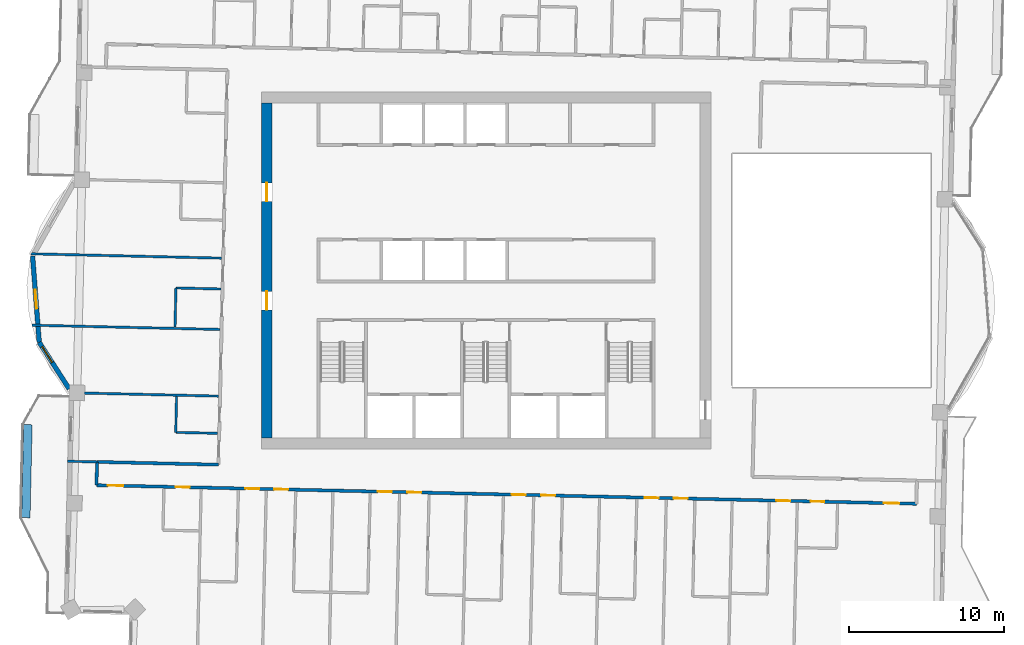
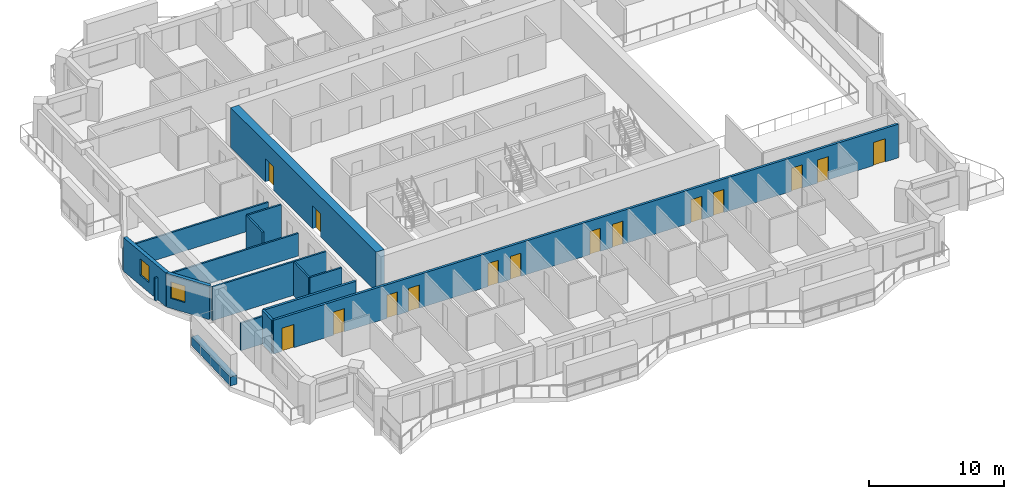
# One storey, part 7 of 17: 15 doors, 15 walls, 2 windows, 17 openings.
"""IFC4 building model written with IfcOpenShell, lengths in metres."""

import ifcopenshell
import ifcopenshell.guid

model = None  # the IFC model being written
_history = None  # IfcOwnerHistory: only IFC2X3 demands one
_inside = {}  # id of a spatial element -> (the spatial element, [elements in it])
_under = {}  # id of a project, library or spatial element -> (it, [spatial elements below it])
_declared = {}  # id of a project -> (the project, [libraries it declares])
_typed = {}  # id of a type object -> (the type object, [elements of that type])
_made_of = {}  # id of a material, layer set ... -> (it, [elements and type objects made of it])


def new_model(schema):
    """Start an empty IFC model of exactly this schema.

    Asked for "IFC4X3", IfcOpenShell would pick the latest addendum, in which some entities
    have other attributes; the version numbers below select the first issue.
    IFC2X3 requires an IfcOwnerHistory on every rooted entity: one is made here for all.
    """
    global model, _history
    if schema == "IFC4X3":
        model = ifcopenshell.file(schema_version=(4, 3, 0, 0))
    else:
        model = ifcopenshell.file(schema=schema)
    _inside.clear()
    _under.clear()
    _declared.clear()
    _typed.clear()
    _made_of.clear()
    _history = None
    if model.schema == "IFC2X3":
        org = make("IfcOrganization", Name="unknown")
        user = make(
            "IfcPersonAndOrganization",
            ThePerson=make("IfcPerson", FamilyName="unknown"),
            TheOrganization=org,
        )
        app = make(
            "IfcApplication",
            ApplicationDeveloper=org,
            Version="unknown",
            ApplicationFullName="unknown",
            ApplicationIdentifier="unknown",
        )
        _history = make(
            "IfcOwnerHistory",
            OwningUser=user,
            OwningApplication=app,
            ChangeAction="ADDED",
            CreationDate=0,
        )
    return model


def make(cls, **values):
    """One entity of the class cls with the attributes given. An attribute that is None is left unset."""
    return model.create_entity(
        cls, **{name: value for name, value in values.items() if value is not None}
    )


def rooted(cls, **values):
    """An entity with a GlobalId (a new one), such as an element, a storey or a relation."""
    return make(cls, GlobalId=ifcopenshell.guid.new(), OwnerHistory=_history, **values)


def si_unit(unit_type, name, prefix=None):
    """IfcSIUnit, for example si_unit("LENGTHUNIT", "METRE", prefix="MILLI")."""
    return make("IfcSIUnit", UnitType=unit_type, Prefix=prefix, Name=name)


def assignment(units):
    """IfcUnitAssignment: the units of a project."""
    return None if units is None else make("IfcUnitAssignment", Units=units)


def point(xyz):
    """IfcCartesianPoint."""
    return None if xyz is None else make("IfcCartesianPoint", Coordinates=xyz)


def direction(xyz):
    """IfcDirection."""
    return None if xyz is None else make("IfcDirection", DirectionRatios=xyz)


def frame(location, z_axis=None, x_axis=None):
    """IfcAxis2Placement3D, a coordinate frame: its origin and axes. An axis left out is left unset."""
    return make(
        "IfcAxis2Placement3D",
        Location=point(location),
        Axis=direction(z_axis),
        RefDirection=direction(x_axis),
    )


def frame_2d(location, x_axis=None):
    """IfcAxis2Placement2D, a coordinate frame in the plane: its origin and x axis."""
    return make(
        "IfcAxis2Placement2D", Location=point(location), RefDirection=direction(x_axis)
    )


def origin():
    """The frame at (0, 0, 0) with its axes left unset."""
    return frame((0.0, 0.0, 0.0))


def place(relative_to, where):
    """IfcLocalPlacement: puts the frame where relative to a parent placement (None: the world)."""
    return make(
        "IfcLocalPlacement", PlacementRelTo=relative_to, RelativePlacement=where
    )


def context(
    kind, dimensions, precision=None, world=None, true_north=None, identifier=None
):
    """IfcGeometricRepresentationContext, for example the 3D "Model" context."""
    return make(
        "IfcGeometricRepresentationContext",
        ContextIdentifier=identifier,
        ContextType=kind,
        CoordinateSpaceDimension=dimensions,
        Precision=precision,
        WorldCoordinateSystem=world,
        TrueNorth=true_north,
    )


def subcontext(parent, identifier, kind, view, scale=None):
    """IfcGeometricRepresentationSubContext, for example "Body" below "Model"."""
    return make(
        "IfcGeometricRepresentationSubContext",
        ContextIdentifier=identifier,
        ContextType=kind,
        ParentContext=parent,
        TargetScale=scale,
        TargetView=view,
    )


def project(units=None, contexts=None):
    """IfcProject with its units and contexts."""
    return rooted(
        "IfcProject",
        Name="project",
        RepresentationContexts=contexts,
        UnitsInContext=assignment(units),
    )


def spatial(cls, under=None, at=None, **own):
    """A site, building, storey or space (cls), placed at a placement, below another one or the project."""
    s = rooted(cls, ObjectPlacement=at, **own)
    if under is not None:
        _under.setdefault(under.id(), (under, []))[1].append(s)
    return s


def profile(cls, at=None, kind="AREA", **sizes):
    """A parametric profile (cls). Its sizes go by their IFC names, for example OverallWidth=200.0."""
    return make(cls, ProfileType=kind, Position=at, **sizes)


def rectangle(**sizes):
    """IfcRectangleProfileDef."""
    return profile("IfcRectangleProfileDef", **sizes)


def extrude(swept, where, along, depth):
    """IfcExtrudedAreaSolid: the profile swept, set in the frame where, extruded along a direction by depth."""
    return make(
        "IfcExtrudedAreaSolid",
        SweptArea=swept,
        Position=where,
        ExtrudedDirection=direction(along),
        Depth=depth,
    )


def shape(context_of_items, identifier, shape_type, items):
    """IfcShapeRepresentation: the items that make up one representation, for example the "Body"."""
    return make(
        "IfcShapeRepresentation",
        ContextOfItems=context_of_items,
        RepresentationIdentifier=identifier,
        RepresentationType=shape_type,
        Items=items,
    )


def material(Name=None, Category=None):
    """IfcMaterial."""
    return make("IfcMaterial", Name=Name, Category=Category)


def layer(
    of_material, thickness, ventilated=None, Name=None, Category=None, Priority=None
):
    """IfcMaterialLayer: one layer of a wall or slab, of a material (None: an air gap)."""
    return make(
        "IfcMaterialLayer",
        Material=of_material,
        LayerThickness=thickness,
        IsVentilated=ventilated,
        Name=Name,
        Category=Category,
        Priority=Priority,
    )


def layer_set(layers, Name=None):
    """IfcMaterialLayerSet."""
    return make("IfcMaterialLayerSet", MaterialLayers=layers, LayerSetName=Name)


def made_of(thing, what):
    """Note that an element or type object is made of a material, layer set ...; save() writes the relation."""
    if what is not None:
        _made_of.setdefault(what.id(), (what, []))[1].append(thing)
    return thing


def type_object(cls, material=None, **own):
    """A type object (cls), such as IfcWallType, which elements share."""
    return made_of(rooted(cls, **own), material)


def element(
    cls,
    number,
    at=None,
    inside=None,
    cuts=None,
    type_object=None,
    material=None,
    context=None,
    identifier="Body",
    shape_type=None,
    held_by="IfcProductDefinitionShape",
    body=None,
    shapes=None,
    **own,
):
    """One element of the class cls, such as IfcWall. Its Tag is "e" and its number.

    at: its placement. inside: the storey or other place that contains it. cuts: it is an
    opening in that element (IfcRelVoidsElement). A single representation is given by context,
    identifier, shape_type and body (its items); several are given by shapes. held_by: the class
    of the entity that holds the representations. save() writes the other relations.
    """
    e = rooted(cls, Tag="e%d" % number, ObjectPlacement=at, **own)
    if body is not None:
        shapes = [shape(context, identifier, shape_type, body)]
    if shapes is not None:
        e.Representation = make(held_by, Representations=shapes)
    if inside is not None:
        _inside.setdefault(inside.id(), (inside, []))[1].append(e)
    if cuts is not None:
        rooted(
            "IfcRelVoidsElement", RelatingBuildingElement=cuts, RelatedOpeningElement=e
        )
    if type_object is not None:
        _typed.setdefault(type_object.id(), (type_object, []))[1].append(e)
    return made_of(e, material)


def fill(opening, filler):
    """IfcRelFillsElement: the door or window that sits in an opening."""
    return rooted(
        "IfcRelFillsElement",
        RelatingOpeningElement=opening,
        RelatedBuildingElement=filler,
    )


def aggregate(whole, parts):
    """IfcRelAggregates: a whole, such as a stair, and the parts it consists of."""
    return rooted("IfcRelAggregates", RelatingObject=whole, RelatedObjects=parts)


def save(model, path):
    """Write the relations noted so far, then the file.

    IfcRelAggregates (storeys below a building ...), IfcRelContainedInSpatialStructure (elements
    in a storey), IfcRelDefinesByType, IfcRelAssociatesMaterial and IfcRelDeclares: one each for
    every whole, place, type object, material and project.
    """
    for whole, parts in _under.values():
        aggregate(whole, parts)
    for where, things in _inside.values():
        rooted(
            "IfcRelContainedInSpatialStructure",
            RelatedElements=things,
            RelatingStructure=where,
        )
    for kind, things in _typed.values():
        rooted("IfcRelDefinesByType", RelatedObjects=things, RelatingType=kind)
    for what, things in _made_of.values():
        rooted("IfcRelAssociatesMaterial", RelatedObjects=things, RelatingMaterial=what)
    for by, libraries in _declared.values():
        rooted("IfcRelDeclares", RelatingContext=by, RelatedDefinitions=libraries)
    model.write(path)


model = new_model("IFC4")

# Units and contexts
model_context = context("Model", 3, precision=1e-05, world=origin(), true_north=direction((0.0, 1.0)))
body_context = subcontext(model_context, "Body", "Model", "MODEL_VIEW")
ifc_project = project(units=[si_unit("LENGTHUNIT", "METRE"), si_unit("AREAUNIT", "SQUARE_METRE"), si_unit("VOLUMEUNIT", "CUBIC_METRE"), si_unit("PLANEANGLEUNIT", "RADIAN"), si_unit("MASSUNIT", "GRAM", prefix="KILO")], contexts=[model_context])

# Site, building, storey
site_placement = place(None, origin())
site = spatial("IfcSite", under=ifc_project, at=site_placement, CompositionType="ELEMENT")
building_placement = place(site_placement, origin())
building = spatial("IfcBuilding", under=site, at=building_placement, Name="Mangrove Gate Tower", CompositionType="ELEMENT")
storey_placement = place(building_placement, frame((0.0, 0.0, 264.5)))
storey = spatial("IfcBuildingStorey", under=building, at=storey_placement, Name="L67", CompositionType="ELEMENT", Elevation=264.5)

# Wall, openings, doors
ifc_material_1 = material(Name="Concrete C60/75", Category="concrete")
ifc_layer_1 = layer(ifc_material_1, 0.699951171875)
ifc_layer_set_1 = layer_set([ifc_layer_1], Name="Core wall 700 C60/75")
wall_type_1 = type_object("IfcWallType", Name="Core wall 700 C60/75", PredefinedType="SHEAR", material=ifc_layer_set_1)
wall_1_placement = place(storey_placement, frame((-14.14990234375, -10.800048828125, 0.0), z_axis=(0.0, 0.0, 1.0), x_axis=(0.0, 1.0, 0.0)))
wall_1 = element("IfcWall", 1, at=wall_1_placement, inside=storey, type_object=wall_type_1, Name="WALL-L67-CORE-3", PredefinedType="SHEAR", context=body_context, shape_type="SweptSolid", body=[
    extrude(rectangle(XDim=21.60009765625, YDim=0.699951171875, at=frame_2d((10.800048828125, 0.0))), origin(), (0.0, 0.0, 1.0), 3.60009765625),
])
opening_1_placement = place(wall_1_placement, frame((8.25, 0.0, 0.0)))
opening_1 = element("IfcOpeningElement", 2, at=opening_1_placement, cuts=wall_1, Name="Opening CD", PredefinedType="OPENING", context=body_context, shape_type="SweptSolid", body=[
    extrude(rectangle(XDim=1.199951171875, YDim=2.10009765625, at=frame_2d((0.60009765625, 1.050048828125))), frame((0.0, 0.35986328125, 0.0), z_axis=(0.0, -1.0, 0.0), x_axis=(1.0, 0.0, 0.0)), (0.0, 0.0, 1.0), 0.719970703125),
])
opening_2_placement = place(wall_1_placement, frame((15.25, 0.0, 0.0)))
opening_2 = element("IfcOpeningElement", 3, at=opening_2_placement, cuts=wall_1, Name="Opening CD", PredefinedType="OPENING", context=body_context, shape_type="SweptSolid", body=[
    extrude(rectangle(XDim=1.199951171875, YDim=2.10009765625, at=frame_2d((0.60009765625, 1.050048828125))), frame((0.0, 0.35986328125, 0.0), z_axis=(0.0, -1.0, 0.0), x_axis=(1.0, 0.0, 0.0)), (0.0, 0.0, 1.0), 0.719970703125),
])
ifc_material_2 = material(Name="Fire-rated steel door set", Category="steel")
door_type_1 = type_object("IfcDoorType", Name="Core ring door FD60 1200x2100", OperationType="DOUBLE_DOOR_SINGLE_SWING", PredefinedType="DOOR", material=ifc_material_2)
door_1_placement = place(opening_1_placement, origin())
door_1 = element("IfcDoor", 4, at=door_1_placement, inside=storey, type_object=door_type_1, Name="Core ring door W1", OperationType="DOUBLE_DOOR_SINGLE_SWING", OverallHeight=2.10009765625, OverallWidth=1.199951171875, PredefinedType="DOOR", context=body_context, shape_type="SweptSolid", body=[
    extrude(rectangle(XDim=1.199951171875, YDim=2.10009765625, at=frame_2d((0.60009765625, 1.050048828125))), frame((0.0, 0.02490234375, 0.0), z_axis=(0.0, -1.0, 0.0), x_axis=(1.0, 0.0, 0.0)), (0.0, 0.0, 1.0), 0.050048828125),
])
fill(opening_1, door_1)
door_2_placement = place(opening_2_placement, origin())
door_2 = element("IfcDoor", 5, at=door_2_placement, inside=storey, type_object=door_type_1, Name="Core ring door W2", OperationType="DOUBLE_DOOR_SINGLE_SWING", OverallHeight=2.10009765625, OverallWidth=1.199951171875, PredefinedType="DOOR", context=body_context, shape_type="SweptSolid", body=[
    extrude(rectangle(XDim=1.199951171875, YDim=2.10009765625, at=frame_2d((0.60009765625, 1.050048828125))), frame((0.0, 0.02490234375, 0.0), z_axis=(0.0, -1.0, 0.0), x_axis=(1.0, 0.0, 0.0)), (0.0, 0.0, 1.0), 0.050048828125),
])
fill(opening_2, door_2)

# Wall
ifc_material_3 = material(Name="Gypsum board on steel stud, EI 60", Category="steel")
ifc_layer_2 = layer(ifc_material_3, 0.199951171875)
ifc_layer_set_2 = layer_set([ifc_layer_2], Name="Corridor wall EI 60")
wall_type_2 = type_object("IfcWallType", Name="Corridor wall EI 60", PredefinedType="PARTITIONING", material=ifc_layer_set_2)
wall_2_placement = place(storey_placement, frame((-25.1240234375, -13.846923828125, 0.0), z_axis=(0.0, 0.0, 1.0), x_axis=(0.022617910375, 0.999744182344, 0.0)))
element("IfcWall", 6, at=wall_2_placement, inside=storey, type_object=wall_type_2, Name="WALL-L67-032", PredefinedType="PARTITIONING", context=body_context, shape_type="SweptSolid", body=[
    extrude(rectangle(XDim=1.50048828125, YDim=0.199951171875, at=frame_2d((0.750244140625, 0.0))), origin(), (0.0, 0.0, 1.0), 3.050048828125),
])

# Wall, openings, doors
wall_3_placement = place(storey_placement, frame((-25.1201171875, -13.846923828125, 0.0), z_axis=(0.0, 0.0, 1.0), x_axis=(0.999742852445, -0.022676617578, 0.0)))
wall_3 = element("IfcWall", 7, at=wall_3_placement, inside=storey, type_object=wall_type_2, Name="WALL-L67-033", PredefinedType="PARTITIONING", context=body_context, shape_type="SweptSolid", body=[
    extrude(rectangle(XDim=52.872802734375, YDim=0.199951171875, at=frame_2d((26.4365234375, 0.0))), origin(), (0.0, 0.0, 1.0), 3.050048828125),
])
opening_3_placement = place(wall_3_placement, frame((0.72509765625, 0.0, 0.0)))
opening_3 = element("IfcOpeningElement", 8, at=opening_3_placement, cuts=wall_3, Name="Opening AD", PredefinedType="OPENING", context=body_context, shape_type="SweptSolid", body=[
    extrude(rectangle(XDim=1.0, YDim=2.10009765625, at=frame_2d((0.5, 1.050048828125))), frame((0.0, 0.10986328125, 0.0), z_axis=(0.0, -1.0, 0.0), x_axis=(1.0, 0.0, 0.0)), (0.0, 0.0, 1.0), 0.219970703125),
])
opening_4_placement = place(wall_3_placement, frame((5.10009765625, 0.0, 0.0)))
opening_4 = element("IfcOpeningElement", 9, at=opening_4_placement, cuts=wall_3, Name="Opening SD", PredefinedType="OPENING", context=body_context, shape_type="SweptSolid", body=[
    extrude(rectangle(XDim=0.89990234375, YDim=2.10009765625, at=frame_2d((0.449951171875, 1.050048828125))), frame((0.0, 0.10986328125, 0.0), z_axis=(0.0, -1.0, 0.0), x_axis=(1.0, 0.0, 0.0)), (0.0, 0.0, 1.0), 0.219970703125),
])
opening_5_placement = place(wall_3_placement, frame((9.60009765625, 0.0, 0.0)))
opening_5 = element("IfcOpeningElement", 10, at=opening_5_placement, cuts=wall_3, Name="Opening BD", PredefinedType="OPENING", context=body_context, shape_type="SweptSolid", body=[
    extrude(rectangle(XDim=0.89990234375, YDim=2.10009765625, at=frame_2d((0.449951171875, 1.050048828125))), frame((0.0, 0.10986328125, 0.0), z_axis=(0.0, -1.0, 0.0), x_axis=(1.0, 0.0, 0.0)), (0.0, 0.0, 1.0), 0.219970703125),
])
opening_6_placement = place(wall_3_placement, frame((11.449951171875, 0.0, 0.0)))
opening_6 = element("IfcOpeningElement", 11, at=opening_6_placement, cuts=wall_3, Name="Opening BD", PredefinedType="OPENING", context=body_context, shape_type="SweptSolid", body=[
    extrude(rectangle(XDim=0.89990234375, YDim=2.10009765625, at=frame_2d((0.449951171875, 1.050048828125))), frame((0.0, 0.10986328125, 0.0), z_axis=(0.0, -1.0, 0.0), x_axis=(1.0, 0.0, 0.0)), (0.0, 0.0, 1.0), 0.219970703125),
])
opening_7_placement = place(wall_3_placement, frame((18.14990234375, 0.0, 0.0)))
opening_7 = element("IfcOpeningElement", 12, at=opening_7_placement, cuts=wall_3, Name="Opening BD", PredefinedType="OPENING", context=body_context, shape_type="SweptSolid", body=[
    extrude(rectangle(XDim=0.89990234375, YDim=2.10009765625, at=frame_2d((0.449951171875, 1.050048828125))), frame((0.0, 0.10986328125, 0.0), z_axis=(0.0, -1.0, 0.0), x_axis=(1.0, 0.0, 0.0)), (0.0, 0.0, 1.0), 0.219970703125),
])
opening_8_placement = place(wall_3_placement, frame((20.050048828125, 0.0, 0.0)))
opening_8 = element("IfcOpeningElement", 13, at=opening_8_placement, cuts=wall_3, Name="Opening BD", PredefinedType="OPENING", context=body_context, shape_type="SweptSolid", body=[
    extrude(rectangle(XDim=0.89990234375, YDim=2.10009765625, at=frame_2d((0.449951171875, 1.050048828125))), frame((0.0, 0.10986328125, 0.0), z_axis=(0.0, -1.0, 0.0), x_axis=(1.0, 0.0, 0.0)), (0.0, 0.0, 1.0), 0.219970703125),
])
opening_9_placement = place(wall_3_placement, frame((26.77490234375, 0.0, 0.0)))
opening_9 = element("IfcOpeningElement", 14, at=opening_9_placement, cuts=wall_3, Name="Opening BD", PredefinedType="OPENING", context=body_context, shape_type="SweptSolid", body=[
    extrude(rectangle(XDim=0.89990234375, YDim=2.10009765625, at=frame_2d((0.449951171875, 1.050048828125))), frame((0.0, 0.10986328125, 0.0), z_axis=(0.0, -1.0, 0.0), x_axis=(1.0, 0.0, 0.0)), (0.0, 0.0, 1.0), 0.219970703125),
])
opening_10_placement = place(wall_3_placement, frame((28.675048828125, 0.0, 0.0)))
opening_10 = element("IfcOpeningElement", 15, at=opening_10_placement, cuts=wall_3, Name="Opening BD", PredefinedType="OPENING", context=body_context, shape_type="SweptSolid", body=[
    extrude(rectangle(XDim=0.89990234375, YDim=2.10009765625, at=frame_2d((0.449951171875, 1.050048828125))), frame((0.0, 0.10986328125, 0.0), z_axis=(0.0, -1.0, 0.0), x_axis=(1.0, 0.0, 0.0)), (0.0, 0.0, 1.0), 0.219970703125),
])
opening_11_placement = place(wall_3_placement, frame((35.35009765625, 0.0, 0.0)))
opening_11 = element("IfcOpeningElement", 16, at=opening_11_placement, cuts=wall_3, Name="Opening BD", PredefinedType="OPENING", context=body_context, shape_type="SweptSolid", body=[
    extrude(rectangle(XDim=0.89990234375, YDim=2.10009765625, at=frame_2d((0.449951171875, 1.050048828125))), frame((0.0, 0.10986328125, 0.0), z_axis=(0.0, -1.0, 0.0), x_axis=(1.0, 0.0, 0.0)), (0.0, 0.0, 1.0), 0.219970703125),
])
opening_12_placement = place(wall_3_placement, frame((37.22509765625, 0.0, 0.0)))
opening_12 = element("IfcOpeningElement", 17, at=opening_12_placement, cuts=wall_3, Name="Opening BD", PredefinedType="OPENING", context=body_context, shape_type="SweptSolid", body=[
    extrude(rectangle(XDim=0.89990234375, YDim=2.10009765625, at=frame_2d((0.449951171875, 1.050048828125))), frame((0.0, 0.10986328125, 0.0), z_axis=(0.0, -1.0, 0.0), x_axis=(1.0, 0.0, 0.0)), (0.0, 0.0, 1.0), 0.219970703125),
])
opening_13_placement = place(wall_3_placement, frame((43.85009765625, 0.0, 0.0)))
opening_13 = element("IfcOpeningElement", 18, at=opening_13_placement, cuts=wall_3, Name="Opening BD", PredefinedType="OPENING", context=body_context, shape_type="SweptSolid", body=[
    extrude(rectangle(XDim=0.89990234375, YDim=2.10009765625, at=frame_2d((0.449951171875, 1.050048828125))), frame((0.0, 0.10986328125, 0.0), z_axis=(0.0, -1.0, 0.0), x_axis=(1.0, 0.0, 0.0)), (0.0, 0.0, 1.0), 0.219970703125),
])
opening_14_placement = place(wall_3_placement, frame((50.785888671875, 0.0, 0.0)))
opening_14 = element("IfcOpeningElement", 19, at=opening_14_placement, cuts=wall_3, Name="Opening AD", PredefinedType="OPENING", context=body_context, shape_type="SweptSolid", body=[
    extrude(rectangle(XDim=1.0, YDim=2.10009765625, at=frame_2d((0.5, 1.050048828125))), frame((0.0, 0.10986328125, 0.0), z_axis=(0.0, -1.0, 0.0), x_axis=(1.0, 0.0, 0.0)), (0.0, 0.0, 1.0), 0.219970703125),
])
opening_15_placement = place(wall_3_placement, frame((46.050048828125, 0.0, 0.0)))
opening_15 = element("IfcOpeningElement", 20, at=opening_15_placement, cuts=wall_3, Name="Opening SD", PredefinedType="OPENING", context=body_context, shape_type="SweptSolid", body=[
    extrude(rectangle(XDim=0.89990234375, YDim=2.10009765625, at=frame_2d((0.449951171875, 1.050048828125))), frame((0.0, 0.10986328125, 0.0), z_axis=(0.0, -1.0, 0.0), x_axis=(1.0, 0.0, 0.0)), (0.0, 0.0, 1.0), 0.219970703125),
])
ifc_material_4 = material(Name="Timber door leaf", Category="wood")
door_type_2 = type_object("IfcDoorType", Name="Amenity door 1000", OperationType="SINGLE_SWING_LEFT", PredefinedType="DOOR", material=ifc_material_4)
door_3_placement = place(opening_3_placement, origin())
door_3 = element("IfcDoor", 21, at=door_3_placement, inside=storey, type_object=door_type_2, Name="DOOR-L67-GAM-c1a", OperationType="SINGLE_SWING_LEFT", OverallHeight=2.10009765625, OverallWidth=1.0, PredefinedType="DOOR", context=body_context, shape_type="SweptSolid", body=[
    extrude(rectangle(XDim=1.0, YDim=2.10009765625, at=frame_2d((0.5, 1.050048828125))), frame((0.0, 0.02490234375, 0.0), z_axis=(0.0, -1.0, 0.0), x_axis=(1.0, 0.0, 0.0)), (0.0, 0.0, 1.0), 0.050048828125),
])
fill(opening_3, door_3)
door_4_placement = place(opening_14_placement, origin())
door_4 = element("IfcDoor", 22, at=door_4_placement, inside=storey, type_object=door_type_2, Name="DOOR-L67-KIT-c3a", OperationType="SINGLE_SWING_RIGHT", OverallHeight=2.10009765625, OverallWidth=1.0, PredefinedType="DOOR", context=body_context, shape_type="SweptSolid", body=[
    extrude(rectangle(XDim=1.0, YDim=2.10009765625, at=frame_2d((0.5, 1.050048828125))), frame((0.0, 0.02490234375, 0.0), z_axis=(0.0, -1.0, 0.0), x_axis=(1.0, 0.0, 0.0)), (0.0, 0.0, 1.0), 0.050048828125),
])
fill(opening_14, door_4)
ifc_material_5 = material(Name="Timber door leaf", Category="wood")
door_type_3 = type_object("IfcDoorType", Name="Bedroom door 900", OperationType="SINGLE_SWING_LEFT", PredefinedType="DOOR", material=ifc_material_5)
door_5_placement = place(opening_5_placement, origin())
door_5 = element("IfcDoor", 23, at=door_5_placement, inside=storey, type_object=door_type_3, Name="DOOR-L67-BED-c101", OperationType="SINGLE_SWING_LEFT", OverallHeight=2.10009765625, OverallWidth=0.89990234375, PredefinedType="DOOR", context=body_context, shape_type="SweptSolid", body=[
    extrude(rectangle(XDim=0.89990234375, YDim=2.10009765625, at=frame_2d((0.449951171875, 1.050048828125))), frame((0.0, 0.02490234375, 0.0), z_axis=(0.0, -1.0, 0.0), x_axis=(1.0, 0.0, 0.0)), (0.0, 0.0, 1.0), 0.050048828125),
])
fill(opening_5, door_5)
door_6_placement = place(opening_6_placement, origin())
door_6 = element("IfcDoor", 24, at=door_6_placement, inside=storey, type_object=door_type_3, Name="DOOR-L67-BED-c102", OperationType="SINGLE_SWING_RIGHT", OverallHeight=2.10009765625, OverallWidth=0.89990234375, PredefinedType="DOOR", context=body_context, shape_type="SweptSolid", body=[
    extrude(rectangle(XDim=0.89990234375, YDim=2.10009765625, at=frame_2d((0.449951171875, 1.050048828125))), frame((0.0, 0.02490234375, 0.0), z_axis=(0.0, -1.0, 0.0), x_axis=(1.0, 0.0, 0.0)), (0.0, 0.0, 1.0), 0.050048828125),
])
fill(opening_6, door_6)
door_7_placement = place(opening_7_placement, origin())
door_7 = element("IfcDoor", 25, at=door_7_placement, inside=storey, type_object=door_type_3, Name="DOOR-L67-BED-c103", OperationType="SINGLE_SWING_LEFT", OverallHeight=2.10009765625, OverallWidth=0.89990234375, PredefinedType="DOOR", context=body_context, shape_type="SweptSolid", body=[
    extrude(rectangle(XDim=0.89990234375, YDim=2.10009765625, at=frame_2d((0.449951171875, 1.050048828125))), frame((0.0, 0.02490234375, 0.0), z_axis=(0.0, -1.0, 0.0), x_axis=(1.0, 0.0, 0.0)), (0.0, 0.0, 1.0), 0.050048828125),
])
fill(opening_7, door_7)
door_8_placement = place(opening_8_placement, origin())
door_8 = element("IfcDoor", 26, at=door_8_placement, inside=storey, type_object=door_type_3, Name="DOOR-L67-BED-c104", OperationType="SINGLE_SWING_RIGHT", OverallHeight=2.10009765625, OverallWidth=0.89990234375, PredefinedType="DOOR", context=body_context, shape_type="SweptSolid", body=[
    extrude(rectangle(XDim=0.89990234375, YDim=2.10009765625, at=frame_2d((0.449951171875, 1.050048828125))), frame((0.0, 0.02490234375, 0.0), z_axis=(0.0, -1.0, 0.0), x_axis=(1.0, 0.0, 0.0)), (0.0, 0.0, 1.0), 0.050048828125),
])
fill(opening_8, door_8)
door_9_placement = place(opening_9_placement, origin())
door_9 = element("IfcDoor", 27, at=door_9_placement, inside=storey, type_object=door_type_3, Name="DOOR-L67-BED-c205", OperationType="SINGLE_SWING_LEFT", OverallHeight=2.10009765625, OverallWidth=0.89990234375, PredefinedType="DOOR", context=body_context, shape_type="SweptSolid", body=[
    extrude(rectangle(XDim=0.89990234375, YDim=2.10009765625, at=frame_2d((0.449951171875, 1.050048828125))), frame((0.0, 0.02490234375, 0.0), z_axis=(0.0, -1.0, 0.0), x_axis=(1.0, 0.0, 0.0)), (0.0, 0.0, 1.0), 0.050048828125),
])
fill(opening_9, door_9)
door_10_placement = place(opening_10_placement, origin())
door_10 = element("IfcDoor", 28, at=door_10_placement, inside=storey, type_object=door_type_3, Name="DOOR-L67-BED-c206", OperationType="SINGLE_SWING_RIGHT", OverallHeight=2.10009765625, OverallWidth=0.89990234375, PredefinedType="DOOR", context=body_context, shape_type="SweptSolid", body=[
    extrude(rectangle(XDim=0.89990234375, YDim=2.10009765625, at=frame_2d((0.449951171875, 1.050048828125))), frame((0.0, 0.02490234375, 0.0), z_axis=(0.0, -1.0, 0.0), x_axis=(1.0, 0.0, 0.0)), (0.0, 0.0, 1.0), 0.050048828125),
])
fill(opening_10, door_10)
door_11_placement = place(opening_11_placement, origin())
door_11 = element("IfcDoor", 29, at=door_11_placement, inside=storey, type_object=door_type_3, Name="DOOR-L67-BED-c207", OperationType="SINGLE_SWING_LEFT", OverallHeight=2.10009765625, OverallWidth=0.89990234375, PredefinedType="DOOR", context=body_context, shape_type="SweptSolid", body=[
    extrude(rectangle(XDim=0.89990234375, YDim=2.10009765625, at=frame_2d((0.449951171875, 1.050048828125))), frame((0.0, 0.02490234375, 0.0), z_axis=(0.0, -1.0, 0.0), x_axis=(1.0, 0.0, 0.0)), (0.0, 0.0, 1.0), 0.050048828125),
])
fill(opening_11, door_11)
door_12_placement = place(opening_12_placement, origin())
door_12 = element("IfcDoor", 30, at=door_12_placement, inside=storey, type_object=door_type_3, Name="DOOR-L67-BED-c308", OperationType="SINGLE_SWING_RIGHT", OverallHeight=2.10009765625, OverallWidth=0.89990234375, PredefinedType="DOOR", context=body_context, shape_type="SweptSolid", body=[
    extrude(rectangle(XDim=0.89990234375, YDim=2.10009765625, at=frame_2d((0.449951171875, 1.050048828125))), frame((0.0, 0.02490234375, 0.0), z_axis=(0.0, -1.0, 0.0), x_axis=(1.0, 0.0, 0.0)), (0.0, 0.0, 1.0), 0.050048828125),
])
fill(opening_12, door_12)
door_13_placement = place(opening_13_placement, origin())
door_13 = element("IfcDoor", 31, at=door_13_placement, inside=storey, type_object=door_type_3, Name="DOOR-L67-BED-c309", OperationType="SINGLE_SWING_LEFT", OverallHeight=2.10009765625, OverallWidth=0.89990234375, PredefinedType="DOOR", context=body_context, shape_type="SweptSolid", body=[
    extrude(rectangle(XDim=0.89990234375, YDim=2.10009765625, at=frame_2d((0.449951171875, 1.050048828125))), frame((0.0, 0.02490234375, 0.0), z_axis=(0.0, -1.0, 0.0), x_axis=(1.0, 0.0, 0.0)), (0.0, 0.0, 1.0), 0.050048828125),
])
fill(opening_13, door_13)
ifc_material_6 = material(Name="Timber door leaf", Category="wood")
door_type_4 = type_object("IfcDoorType", Name="Service room door 900", OperationType="SINGLE_SWING_LEFT", PredefinedType="DOOR", material=ifc_material_6)
door_14_placement = place(opening_4_placement, origin())
door_14 = element("IfcDoor", 32, at=door_14_placement, inside=storey, type_object=door_type_4, Name="DOOR-L67-WC-c1a", OperationType="SINGLE_SWING_LEFT", OverallHeight=2.10009765625, OverallWidth=0.89990234375, PredefinedType="DOOR", context=body_context, shape_type="SweptSolid", body=[
    extrude(rectangle(XDim=0.89990234375, YDim=2.10009765625, at=frame_2d((0.449951171875, 1.050048828125))), frame((0.0, 0.02490234375, 0.0), z_axis=(0.0, -1.0, 0.0), x_axis=(1.0, 0.0, 0.0)), (0.0, 0.0, 1.0), 0.050048828125),
])
fill(opening_4, door_14)
door_15_placement = place(opening_15_placement, origin())
door_15 = element("IfcDoor", 33, at=door_15_placement, inside=storey, type_object=door_type_4, Name="DOOR-L67-AWC-c3a", OperationType="SINGLE_SWING_RIGHT", OverallHeight=2.10009765625, OverallWidth=0.89990234375, PredefinedType="DOOR", context=body_context, shape_type="SweptSolid", body=[
    extrude(rectangle(XDim=0.89990234375, YDim=2.10009765625, at=frame_2d((0.449951171875, 1.050048828125))), frame((0.0, 0.02490234375, 0.0), z_axis=(0.0, -1.0, 0.0), x_axis=(1.0, 0.0, 0.0)), (0.0, 0.0, 1.0), 0.050048828125),
])
fill(opening_15, door_15)

# Wall
wall_4_placement = place(storey_placement, frame((-25.0859375, -12.346923828125, 0.0), z_axis=(0.0, 0.0, 1.0), x_axis=(0.999741690667, -0.022727779103, 0.0)))
element("IfcWall", 34, at=wall_4_placement, inside=storey, type_object=wall_type_2, Name="WALL-L67-036", PredefinedType="PARTITIONING", context=body_context, shape_type="SweptSolid", body=[
    extrude(rectangle(XDim=7.830810546875, YDim=0.199951171875, at=frame_2d((3.91552734375, 0.0))), origin(), (0.0, 0.0, 1.0), 3.050048828125),
])

# Wall, opening, window
ifc_material_7 = material(Name="Limestone", Category="masonry")
ifc_layer_3 = layer(ifc_material_7, 0.0400390625, Name="Limestone cladding")
ifc_material_8 = material(Name="Ventilated air gap")
ifc_layer_4 = layer(ifc_material_8, 0.0400390625, Name="Ventilated cavity")
ifc_material_9 = material(Name="Mineral wool insulation")
ifc_layer_5 = layer(ifc_material_9, 0.06005859375, Name="Insulation")
ifc_material_10 = material(Name="Breather membrane")
ifc_layer_6 = layer(ifc_material_10, 0.001953125, Name="Breather membrane")
ifc_material_11 = material(Name="Concrete C20/25 blockwork", Category="masonry")
ifc_layer_7 = layer(ifc_material_11, 0.14990234375, Name="Blockwork backing wall")
ifc_material_12 = material(Name="Gypsum plaster")
ifc_layer_8 = layer(ifc_material_12, 0.008056640625, Name="Internal plaster")
ifc_layer_set_3 = layer_set([ifc_layer_3, ifc_layer_4, ifc_layer_5, ifc_layer_6, ifc_layer_7, ifc_layer_8], Name="External wall 300 limestone cladding")
wall_type_3 = type_object("IfcWallType", Name="External wall 300 limestone cladding", PredefinedType="SOLIDWALL", material=ifc_layer_set_3)
wall_5_placement = place(storey_placement, frame((-29.2470703125, 0.924072265625, 0.0), z_axis=(0.0, 0.0, 1.0), x_axis=(0.076961115238, -0.997034095075, 0.0)))
wall_5 = element("IfcWall", 35, at=wall_5_placement, inside=storey, type_object=wall_type_3, Name="WALL-L67-W9f2", PredefinedType="SOLIDWALL", context=body_context, shape_type="SweptSolid", body=[
    extrude(rectangle(XDim=5.57373046875, YDim=0.300048828125, at=frame_2d((2.786865234375, 0.0))), origin(), (0.0, 0.0, 1.0), 3.050048828125),
])
opening_16_placement = place(wall_5_placement, frame((2.18603515625, 0.0, 0.89990234375)))
opening_16 = element("IfcOpeningElement", 36, at=opening_16_placement, cuts=wall_5, Name="Opening W1", PredefinedType="OPENING", context=body_context, shape_type="SweptSolid", body=[
    extrude(rectangle(XDim=1.199951171875, YDim=1.5, at=frame_2d((0.60009765625, 0.75))), frame((0.0, 0.159912109375, 0.0), z_axis=(0.0, -1.0, 0.0), x_axis=(1.0, 0.0, 0.0)), (0.0, 0.0, 1.0), 0.320068359375),
])
ifc_material_13 = material(Name="Aluminium frame with double-glazed low-e glass", Category="aluminium")
window_type = type_object("IfcWindowType", Name="Side lite 1200x1500", PartitioningType="SINGLE_PANEL", PredefinedType="WINDOW", material=ifc_material_13)
window_1_placement = place(opening_16_placement, origin())
window_1 = element("IfcWindow", 37, at=window_1_placement, inside=storey, type_object=window_type, Name="WIN-L67-W9f2", OverallHeight=1.5, OverallWidth=1.199951171875, PartitioningType="SINGLE_PANEL", PredefinedType="WINDOW", context=body_context, shape_type="SweptSolid", body=[
    extrude(rectangle(XDim=1.199951171875, YDim=1.5, at=frame_2d((0.60009765625, 0.75))), frame((0.0, 0.030029296875, 0.0), z_axis=(0.0, -1.0, 0.0), x_axis=(1.0, 0.0, 0.0)), (0.0, 0.0, 1.0), 0.06005859375),
])
fill(opening_16, window_1)

wall_6_placement = place(storey_placement, frame((-28.818115234375, -4.633056640625, 0.0), z_axis=(0.0, 0.0, 1.0), x_axis=(0.540633100578, -0.841258492117, 0.0)))
wall_6 = element("IfcWall", 38, at=wall_6_placement, inside=storey, type_object=wall_type_3, Name="WALL-L67-W9f3", PredefinedType="SOLIDWALL", context=body_context, shape_type="SweptSolid", body=[
    extrude(rectangle(XDim=3.568359375, YDim=0.300048828125, at=frame_2d((1.7841796875, 0.0))), origin(), (0.0, 0.0, 1.0), 3.050048828125),
])
opening_17_placement = place(wall_6_placement, frame((0.337890625, 0.0, 0.89990234375)))
opening_17 = element("IfcOpeningElement", 39, at=opening_17_placement, cuts=wall_6, Name="Opening W1", PredefinedType="OPENING", context=body_context, shape_type="SweptSolid", body=[
    extrude(rectangle(XDim=1.199951171875, YDim=1.5, at=frame_2d((0.60009765625, 0.75))), frame((0.0, 0.159912109375, 0.0), z_axis=(0.0, -1.0, 0.0), x_axis=(1.0, 0.0, 0.0)), (0.0, 0.0, 1.0), 0.320068359375),
])
window_2_placement = place(opening_17_placement, origin())
window_2 = element("IfcWindow", 40, at=window_2_placement, inside=storey, type_object=window_type, Name="WIN-L67-W9f3", OverallHeight=1.5, OverallWidth=1.199951171875, PartitioningType="SINGLE_PANEL", PredefinedType="WINDOW", context=body_context, shape_type="SweptSolid", body=[
    extrude(rectangle(XDim=1.199951171875, YDim=1.5, at=frame_2d((0.60009765625, 0.75))), frame((0.0, 0.030029296875, 0.0), z_axis=(0.0, -1.0, 0.0), x_axis=(1.0, 0.0, 0.0)), (0.0, 0.0, 1.0), 0.06005859375),
])
fill(opening_17, window_2)

# Walls
ifc_material_14 = material(Name="Gypsum board on steel stud, EI 60", Category="steel")
ifc_layer_9 = layer(ifc_material_14, 0.14990234375)
ifc_layer_set_4 = layer_set([ifc_layer_9], Name="Party wall 150 EI 60")
wall_type_4 = type_object("IfcWallType", Name="Party wall 150 EI 60", PredefinedType="PARTITIONING", material=ifc_layer_set_4)
wall_7_placement = place(storey_placement, frame((-26.985107421875, -12.303955078125, 0.0), z_axis=(0.0, 0.0, 1.0), x_axis=(0.999744152544, -0.022619227516, 0.0)))
element("IfcWall", 41, at=wall_7_placement, inside=storey, type_object=wall_type_4, Name="WALL-L67-035", PredefinedType="PARTITIONING", context=body_context, shape_type="SweptSolid", body=[
    extrude(rectangle(XDim=1.899658203125, YDim=0.14990234375, at=frame_2d((0.94970703125, 0.0))), origin(), (0.0, 0.0, 1.0), 2.5),
])
wall_8_placement = place(storey_placement, frame((-20.010009765625, -10.44189453125, 0.0), z_axis=(0.0, 0.0, 1.0), x_axis=(0.999744396973, -0.02260842146, 0.0)))
element("IfcWall", 42, at=wall_8_placement, inside=storey, type_object=wall_type_4, Name="WALL-L67-041", PredefinedType="PARTITIONING", context=body_context, shape_type="SweptSolid", body=[
    extrude(rectangle(XDim=2.69970703125, YDim=0.14990234375, at=frame_2d((1.349853515625, 0.0))), origin(), (0.0, 0.0, 1.0), 3.050048828125),
])
wall_9_placement = place(storey_placement, frame((-20.014892578125, -10.43701171875, 0.0), z_axis=(0.0, 0.0, 1.0), x_axis=(0.022781023197, 0.999740478815, 0.0)))
element("IfcWall", 43, at=wall_9_placement, inside=storey, type_object=wall_type_4, Name="WALL-L67-042", PredefinedType="PARTITIONING", context=body_context, shape_type="SweptSolid", body=[
    extrude(rectangle(XDim=2.325439453125, YDim=0.14990234375, at=frame_2d((1.16259765625, 0.0))), origin(), (0.0, 0.0, 1.0), 3.050048828125),
])
wall_10_placement = place(storey_placement, frame((-26.885009765625, -7.885009765625, 0.0), z_axis=(0.0, 0.0, 1.0), x_axis=(0.999741468995, -0.022737527832, 0.0)))
element("IfcWall", 44, at=wall_10_placement, inside=storey, type_object=wall_type_4, Name="WALL-L67-043", PredefinedType="PARTITIONING", context=body_context, shape_type="SweptSolid", body=[
    extrude(rectangle(XDim=9.63134765625, YDim=0.14990234375, at=frame_2d((4.815673828125, 0.0))), origin(), (0.0, 0.0, 1.0), 3.050048828125),
])
wall_11_placement = place(storey_placement, frame((-29.2890625, -3.530029296875, 0.0), z_axis=(0.0, 0.0, 1.0), x_axis=(0.999743298181, -0.02265695791, 0.0)))
element("IfcWall", 45, at=wall_11_placement, inside=storey, type_object=wall_type_4, Name="WALL-L67-044", PredefinedType="PARTITIONING", context=body_context, shape_type="SweptSolid", body=[
    extrude(rectangle(XDim=12.13330078125, YDim=0.14990234375, at=frame_2d((6.066650390625, 0.0))), origin(), (0.0, 0.0, 1.0), 2.050048828125),
])
wall_12_placement = place(storey_placement, frame((-20.06103515625, -3.658935546875, 0.0), z_axis=(0.0, 0.0, 1.0), x_axis=(0.022629142889, 0.99974392816, 0.0)))
element("IfcWall", 46, at=wall_12_placement, inside=storey, type_object=wall_type_4, Name="WALL-L67-045", PredefinedType="PARTITIONING", context=body_context, shape_type="SweptSolid", body=[
    extrude(rectangle(XDim=2.524658203125, YDim=0.14990234375, at=frame_2d((1.26220703125, 0.0))), origin(), (0.0, 0.0, 1.0), 3.050048828125),
])
wall_13_placement = place(storey_placement, frame((-19.9990234375, -1.1298828125, 0.0), z_axis=(0.0, 0.0, 1.0), x_axis=(0.999739657619, -0.022817032779, 0.0)))
element("IfcWall", 47, at=wall_13_placement, inside=storey, type_object=wall_type_4, Name="WALL-L67-046", PredefinedType="PARTITIONING", context=body_context, shape_type="SweptSolid", body=[
    extrude(rectangle(XDim=2.899658203125, YDim=0.14990234375, at=frame_2d((1.44970703125, 0.0))), origin(), (0.0, 0.0, 1.0), 3.050048828125),
])
wall_14_placement = place(storey_placement, frame((-29.35302734375, 1.072998046875, 0.0), z_axis=(0.0, 0.0, 1.0), x_axis=(0.999742705664, -0.02268308777, 0.0)))
element("IfcWall", 48, at=wall_14_placement, inside=storey, type_object=wall_type_4, Name="WALL-L67-047", PredefinedType="PARTITIONING", context=body_context, shape_type="SweptSolid", body=[
    extrude(rectangle(XDim=12.30224609375, YDim=0.14990234375, at=frame_2d((6.151123046875, 0.0))), origin(), (0.0, 0.0, 1.0), 2.050048828125),
])
ifc_material_15 = material(Name="Concrete C32/40", Category="concrete")
ifc_layer_10 = layer(ifc_material_15, 0.199951171875, Name="Planter trough wall")
ifc_material_16 = material(Name="Bituminous waterproofing membrane")
ifc_layer_11 = layer(ifc_material_16, 0.0048828125, Name="Waterproofing")
ifc_material_17 = material(Name="Drainage board and gravel")
ifc_layer_12 = layer(ifc_material_17, 0.044921875, Name="Drainage layer")
ifc_material_18 = material(Name="Planting soil")
ifc_layer_13 = layer(ifc_material_18, 0.300048828125, Name="Growing medium")
ifc_layer_set_5 = layer_set([ifc_layer_10, ifc_layer_11, ifc_layer_12, ifc_layer_13], Name="Planter wall 550 C32/40")
wall_type_5 = type_object("IfcWallType", Name="Planter wall 550 C32/40", PredefinedType="USERDEFINED", material=ifc_layer_set_5)
wall_15_placement = place(storey_placement, frame((-29.68310546875, -15.944091796875, 0.0), z_axis=(0.0, 0.0, 1.0), x_axis=(0.022662255828, 0.999743178102, 0.0)))
element("IfcWall", 49, at=wall_15_placement, inside=storey, type_object=wall_type_5, Name="PLANTER L67 W1.1", ObjectType="PLANTER", PredefinedType="USERDEFINED", context=body_context, shape_type="SweptSolid", body=[
    extrude(rectangle(XDim=6.00048828125, YDim=0.550048828125, at=frame_2d((3.000244140625, 0.0))), origin(), (0.0, 0.0, 1.0), 0.800048828125),
])

save(model, "model.ifc")
